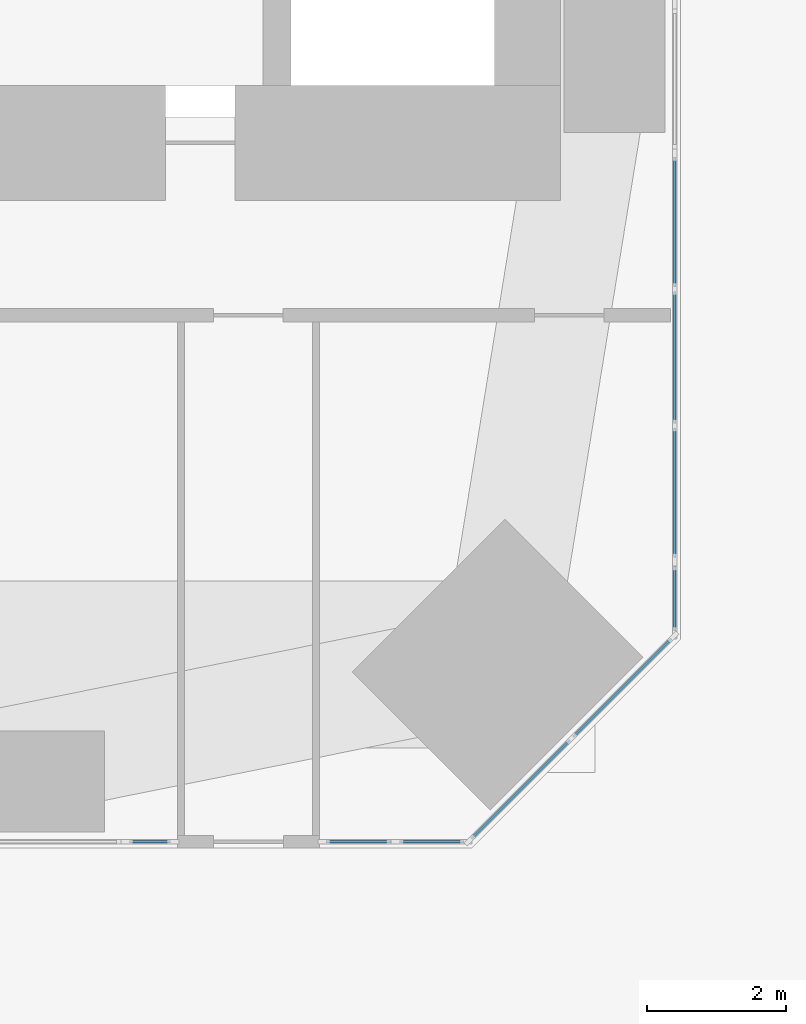
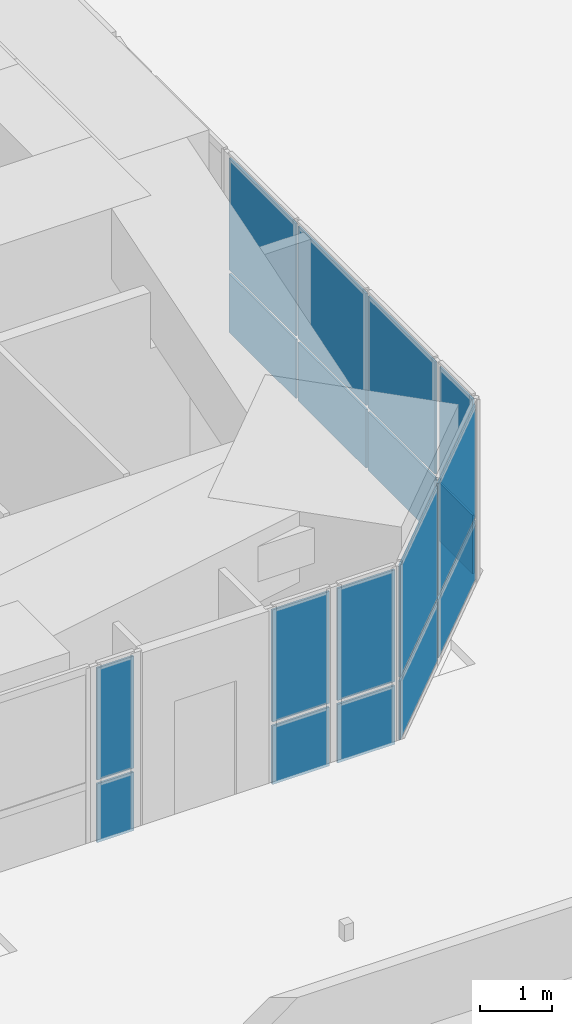
# One storey, part 10 of 20: 18 plates, 6 elements without a shape of their own.
"""IFC4 building model written with IfcOpenShell, lengths in metres."""

import ifcopenshell
import ifcopenshell.guid

model = None  # the IFC model being written
_history = None  # IfcOwnerHistory: only IFC2X3 demands one
_inside = {}  # id of a spatial element -> (the spatial element, [elements in it])
_under = {}  # id of a project, library or spatial element -> (it, [spatial elements below it])
_declared = {}  # id of a project -> (the project, [libraries it declares])
_typed = {}  # id of a type object -> (the type object, [elements of that type])
_made_of = {}  # id of a material, layer set ... -> (it, [elements and type objects made of it])


def new_model(schema):
    """Start an empty IFC model of exactly this schema.

    Asked for "IFC4X3", IfcOpenShell would pick the latest addendum, in which some entities
    have other attributes; the version numbers below select the first issue.
    IFC2X3 requires an IfcOwnerHistory on every rooted entity: one is made here for all.
    """
    global model, _history
    if schema == "IFC4X3":
        model = ifcopenshell.file(schema_version=(4, 3, 0, 0))
    else:
        model = ifcopenshell.file(schema=schema)
    _inside.clear()
    _under.clear()
    _declared.clear()
    _typed.clear()
    _made_of.clear()
    _history = None
    if model.schema == "IFC2X3":
        org = make("IfcOrganization", Name="unknown")
        user = make(
            "IfcPersonAndOrganization",
            ThePerson=make("IfcPerson", FamilyName="unknown"),
            TheOrganization=org,
        )
        app = make(
            "IfcApplication",
            ApplicationDeveloper=org,
            Version="unknown",
            ApplicationFullName="unknown",
            ApplicationIdentifier="unknown",
        )
        _history = make(
            "IfcOwnerHistory",
            OwningUser=user,
            OwningApplication=app,
            ChangeAction="ADDED",
            CreationDate=0,
        )
    return model


def make(cls, **values):
    """One entity of the class cls with the attributes given. An attribute that is None is left unset."""
    return model.create_entity(
        cls, **{name: value for name, value in values.items() if value is not None}
    )


def rooted(cls, **values):
    """An entity with a GlobalId (a new one), such as an element, a storey or a relation."""
    return make(cls, GlobalId=ifcopenshell.guid.new(), OwnerHistory=_history, **values)


def si_unit(unit_type, name, prefix=None):
    """IfcSIUnit, for example si_unit("LENGTHUNIT", "METRE", prefix="MILLI")."""
    return make("IfcSIUnit", UnitType=unit_type, Prefix=prefix, Name=name)


def assignment(units):
    """IfcUnitAssignment: the units of a project."""
    return None if units is None else make("IfcUnitAssignment", Units=units)


def point(xyz):
    """IfcCartesianPoint."""
    return None if xyz is None else make("IfcCartesianPoint", Coordinates=xyz)


def direction(xyz):
    """IfcDirection."""
    return None if xyz is None else make("IfcDirection", DirectionRatios=xyz)


def frame(location, z_axis=None, x_axis=None):
    """IfcAxis2Placement3D, a coordinate frame: its origin and axes. An axis left out is left unset."""
    return make(
        "IfcAxis2Placement3D",
        Location=point(location),
        Axis=direction(z_axis),
        RefDirection=direction(x_axis),
    )


def frame_2d(location, x_axis=None):
    """IfcAxis2Placement2D, a coordinate frame in the plane: its origin and x axis."""
    return make(
        "IfcAxis2Placement2D", Location=point(location), RefDirection=direction(x_axis)
    )


def origin():
    """The frame at (0, 0, 0) with its axes left unset."""
    return frame((0.0, 0.0, 0.0))


def origin_2d():
    """The frame at (0, 0) in the plane with its x axis left unset."""
    return frame_2d((0.0, 0.0))


def place(relative_to, where):
    """IfcLocalPlacement: puts the frame where relative to a parent placement (None: the world)."""
    return make(
        "IfcLocalPlacement", PlacementRelTo=relative_to, RelativePlacement=where
    )


def context(
    kind, dimensions, precision=None, world=None, true_north=None, identifier=None
):
    """IfcGeometricRepresentationContext, for example the 3D "Model" context."""
    return make(
        "IfcGeometricRepresentationContext",
        ContextIdentifier=identifier,
        ContextType=kind,
        CoordinateSpaceDimension=dimensions,
        Precision=precision,
        WorldCoordinateSystem=world,
        TrueNorth=true_north,
    )


def subcontext(parent, identifier, kind, view, scale=None):
    """IfcGeometricRepresentationSubContext, for example "Body" below "Model"."""
    return make(
        "IfcGeometricRepresentationSubContext",
        ContextIdentifier=identifier,
        ContextType=kind,
        ParentContext=parent,
        TargetScale=scale,
        TargetView=view,
    )


def project(units=None, contexts=None):
    """IfcProject with its units and contexts."""
    return rooted(
        "IfcProject",
        Name="project",
        RepresentationContexts=contexts,
        UnitsInContext=assignment(units),
    )


def spatial(cls, under=None, at=None, **own):
    """A site, building, storey or space (cls), placed at a placement, below another one or the project."""
    s = rooted(cls, ObjectPlacement=at, **own)
    if under is not None:
        _under.setdefault(under.id(), (under, []))[1].append(s)
    return s


def profile(cls, at=None, kind="AREA", **sizes):
    """A parametric profile (cls). Its sizes go by their IFC names, for example OverallWidth=200.0."""
    return make(cls, ProfileType=kind, Position=at, **sizes)


def rectangle(**sizes):
    """IfcRectangleProfileDef."""
    return profile("IfcRectangleProfileDef", **sizes)


def extrude(swept, where, along, depth):
    """IfcExtrudedAreaSolid: the profile swept, set in the frame where, extruded along a direction by depth."""
    return make(
        "IfcExtrudedAreaSolid",
        SweptArea=swept,
        Position=where,
        ExtrudedDirection=direction(along),
        Depth=depth,
    )


def shape(context_of_items, identifier, shape_type, items):
    """IfcShapeRepresentation: the items that make up one representation, for example the "Body"."""
    return make(
        "IfcShapeRepresentation",
        ContextOfItems=context_of_items,
        RepresentationIdentifier=identifier,
        RepresentationType=shape_type,
        Items=items,
    )


def material(Name=None, Category=None):
    """IfcMaterial."""
    return make("IfcMaterial", Name=Name, Category=Category)


def layer(
    of_material, thickness, ventilated=None, Name=None, Category=None, Priority=None
):
    """IfcMaterialLayer: one layer of a wall or slab, of a material (None: an air gap)."""
    return make(
        "IfcMaterialLayer",
        Material=of_material,
        LayerThickness=thickness,
        IsVentilated=ventilated,
        Name=Name,
        Category=Category,
        Priority=Priority,
    )


def layer_set(layers, Name=None):
    """IfcMaterialLayerSet."""
    return make("IfcMaterialLayerSet", MaterialLayers=layers, LayerSetName=Name)


def made_of(thing, what):
    """Note that an element or type object is made of a material, layer set ...; save() writes the relation."""
    if what is not None:
        _made_of.setdefault(what.id(), (what, []))[1].append(thing)
    return thing


def type_object(cls, material=None, **own):
    """A type object (cls), such as IfcWallType, which elements share."""
    return made_of(rooted(cls, **own), material)


def element(
    cls,
    number,
    at=None,
    inside=None,
    cuts=None,
    type_object=None,
    material=None,
    context=None,
    identifier="Body",
    shape_type=None,
    held_by="IfcProductDefinitionShape",
    body=None,
    shapes=None,
    **own,
):
    """One element of the class cls, such as IfcWall. Its Tag is "e" and its number.

    at: its placement. inside: the storey or other place that contains it. cuts: it is an
    opening in that element (IfcRelVoidsElement). A single representation is given by context,
    identifier, shape_type and body (its items); several are given by shapes. held_by: the class
    of the entity that holds the representations. save() writes the other relations.
    """
    e = rooted(cls, Tag="e%d" % number, ObjectPlacement=at, **own)
    if body is not None:
        shapes = [shape(context, identifier, shape_type, body)]
    if shapes is not None:
        e.Representation = make(held_by, Representations=shapes)
    if inside is not None:
        _inside.setdefault(inside.id(), (inside, []))[1].append(e)
    if cuts is not None:
        rooted(
            "IfcRelVoidsElement", RelatingBuildingElement=cuts, RelatedOpeningElement=e
        )
    if type_object is not None:
        _typed.setdefault(type_object.id(), (type_object, []))[1].append(e)
    return made_of(e, material)


def aggregate(whole, parts):
    """IfcRelAggregates: a whole, such as a stair, and the parts it consists of."""
    return rooted("IfcRelAggregates", RelatingObject=whole, RelatedObjects=parts)


def save(model, path):
    """Write the relations noted so far, then the file.

    IfcRelAggregates (storeys below a building ...), IfcRelContainedInSpatialStructure (elements
    in a storey), IfcRelDefinesByType, IfcRelAssociatesMaterial and IfcRelDeclares: one each for
    every whole, place, type object, material and project.
    """
    for whole, parts in _under.values():
        aggregate(whole, parts)
    for where, things in _inside.values():
        rooted(
            "IfcRelContainedInSpatialStructure",
            RelatedElements=things,
            RelatingStructure=where,
        )
    for kind, things in _typed.values():
        rooted("IfcRelDefinesByType", RelatedObjects=things, RelatingType=kind)
    for what, things in _made_of.values():
        rooted("IfcRelAssociatesMaterial", RelatedObjects=things, RelatingMaterial=what)
    for by, libraries in _declared.values():
        rooted("IfcRelDeclares", RelatingContext=by, RelatedDefinitions=libraries)
    model.write(path)


model = new_model("IFC4")

# Units and contexts
model_context = context("Model", 3, precision=1e-05, world=origin(), true_north=direction((0.0, 1.0)))
body_context = subcontext(model_context, "Body", "Model", "MODEL_VIEW")
ifc_project = project(units=[si_unit("LENGTHUNIT", "METRE"), si_unit("AREAUNIT", "SQUARE_METRE"), si_unit("VOLUMEUNIT", "CUBIC_METRE"), si_unit("PLANEANGLEUNIT", "RADIAN"), si_unit("MASSUNIT", "GRAM", prefix="KILO")], contexts=[model_context])

# Site, building, storey
site_placement = place(None, origin())
site = spatial("IfcSite", under=ifc_project, at=site_placement, CompositionType="ELEMENT")
building_placement = place(site_placement, origin())
building = spatial("IfcBuilding", under=site, at=building_placement, Name="Jalousie Tower", CompositionType="ELEMENT")
storey_placement = place(building_placement, frame((0.0, 0.0, 21.0)))
storey = spatial("IfcBuildingStorey", under=building, at=storey_placement, Name="L04", CompositionType="ELEMENT", Elevation=21.0)

# Curtain wall, plates
ifc_material_1 = material(Name="Aluminium curtain wall", Category="aluminium")
curtain_wall_type_1 = type_object("IfcCurtainWallType", Name="AMENITY SPANDREL WALL", PredefinedType="USERDEFINED", material=ifc_material_1)
curtain_wall_1_placement = place(storey_placement, origin())
curtain_wall_1 = element("IfcCurtainWall", 1, at=curtain_wall_1_placement, inside=storey, type_object=curtain_wall_type_1, Name="Amenity Spandrel Wall L04 15", ObjectType="AMENITY SPANDREL WALL", PredefinedType="USERDEFINED")
ifc_material_2 = material(Name="Laminated impact-rated spandrel glass", Category="glass")
ifc_layer_1 = layer(ifc_material_2, 0.031982421875)
ifc_layer_set_1 = layer_set([ifc_layer_1], Name="Laminated impact-rated spandrel glass")
plate_type_1 = type_object("IfcPlateType", Name="AMENITY SPANDREL WALL PANEL", PredefinedType="CURTAIN_PANEL", material=ifc_layer_set_1)
plate_1_placement = place(storey_placement, frame((42.421875, 0.08740234375, 0.06494140625), z_axis=(0.0, 0.0, 1.0), x_axis=(1.0, 0.0, 0.0)))
plate_1 = element("IfcPlate", 2, at=plate_1_placement, type_object=plate_type_1, Name="CW-AS panel 1.1", PredefinedType="CURTAIN_PANEL", context=body_context, shape_type="SweptSolid", body=[
    extrude(rectangle(XDim=0.923583984375, YDim=0.031982421875, at=origin_2d()), origin(), (0.0, 0.0, 1.0), 1.00244140625),
])
plate_2_placement = place(storey_placement, frame((42.421875, 0.08740234375, 1.132568359375), z_axis=(0.0, 0.0, 1.0), x_axis=(1.0, 0.0, 0.0)))
plate_2 = element("IfcPlate", 3, at=plate_2_placement, type_object=plate_type_1, Name="CW-AS panel 1.2", PredefinedType="CURTAIN_PANEL", context=body_context, shape_type="SweptSolid", body=[
    extrude(rectangle(XDim=0.923583984375, YDim=0.031982421875, at=origin_2d()), origin(), (0.0, 0.0, 1.0), 1.91259765625),
])
aggregate(curtain_wall_1, [plate_1, plate_2])

curtain_wall_2_placement = place(storey_placement, origin())
curtain_wall_2 = element("IfcCurtainWall", 4, at=curtain_wall_2_placement, inside=storey, type_object=curtain_wall_type_1, Name="Amenity Spandrel Wall L04 2", ObjectType="AMENITY SPANDREL WALL", PredefinedType="USERDEFINED")
plate_3_placement = place(storey_placement, frame((43.701171875, 0.83984375, 0.06494140625), z_axis=(0.0, 0.0, 1.0), x_axis=(0.707106781187, 0.707106781187, 0.0)))
plate_3 = element("IfcPlate", 5, at=plate_3_placement, type_object=plate_type_1, Name="CW-AS panel 1.1", PredefinedType="CURTAIN_PANEL", context=body_context, shape_type="SweptSolid", body=[
    extrude(rectangle(XDim=1.998291015625, YDim=0.031982421875, at=origin_2d()), origin(), (0.0, 0.0, 1.0), 1.00244140625),
])
plate_4_placement = place(storey_placement, frame((43.701171875, 0.83984375, 1.132568359375), z_axis=(0.0, 0.0, 1.0), x_axis=(0.707106781187, 0.707106781187, 0.0)))
plate_4 = element("IfcPlate", 6, at=plate_4_placement, type_object=plate_type_1, Name="CW-AS panel 1.2", PredefinedType="CURTAIN_PANEL", context=body_context, shape_type="SweptSolid", body=[
    extrude(rectangle(XDim=1.998291015625, YDim=0.031982421875, at=origin_2d()), origin(), (0.0, 0.0, 1.0), 1.91259765625),
])
plate_5_placement = place(storey_placement, frame((45.16015625, 2.298828125, 0.06494140625), z_axis=(0.0, 0.0, 1.0), x_axis=(0.707106781187, 0.707106781187, 0.0)))
plate_5 = element("IfcPlate", 7, at=plate_5_placement, type_object=plate_type_1, Name="CW-AS panel 2.1", PredefinedType="CURTAIN_PANEL", context=body_context, shape_type="SweptSolid", body=[
    extrude(rectangle(XDim=1.998291015625, YDim=0.031982421875, at=origin_2d()), origin(), (0.0, 0.0, 1.0), 1.00244140625),
])
plate_6_placement = place(storey_placement, frame((45.16015625, 2.298828125, 1.132568359375), z_axis=(0.0, 0.0, 1.0), x_axis=(0.707106781187, 0.707106781187, 0.0)))
plate_6 = element("IfcPlate", 8, at=plate_6_placement, type_object=plate_type_1, Name="CW-AS panel 2.2", PredefinedType="CURTAIN_PANEL", context=body_context, shape_type="SweptSolid", body=[
    extrude(rectangle(XDim=1.998291015625, YDim=0.031982421875, at=origin_2d()), origin(), (0.0, 0.0, 1.0), 1.91259765625),
])
aggregate(curtain_wall_2, [plate_3, plate_4, plate_5, plate_6])

curtain_wall_3_placement = place(storey_placement, origin())
curtain_wall_3 = element("IfcCurtainWall", 9, at=curtain_wall_3_placement, inside=storey, type_object=curtain_wall_type_1, Name="Amenity Spandrel Wall L04 21", ObjectType="AMENITY SPANDREL WALL", PredefinedType="USERDEFINED")
plate_7_placement = place(storey_placement, frame((45.91259765625, 3.578125, 0.06494140625), z_axis=(0.0, 0.0, 1.0), x_axis=(0.0, 1.0, 0.0)))
plate_7 = element("IfcPlate", 10, at=plate_7_placement, type_object=plate_type_1, Name="CW-AS panel 1.1", PredefinedType="CURTAIN_PANEL", context=body_context, shape_type="SweptSolid", body=[
    extrude(rectangle(XDim=0.923583984375, YDim=0.031982421875, at=origin_2d()), origin(), (0.0, 0.0, 1.0), 1.00244140625),
])
plate_8_placement = place(storey_placement, frame((45.91259765625, 3.578125, 1.132568359375), z_axis=(0.0, 0.0, 1.0), x_axis=(0.0, 1.0, 0.0)))
plate_8 = element("IfcPlate", 11, at=plate_8_placement, type_object=plate_type_1, Name="CW-AS panel 1.2", PredefinedType="CURTAIN_PANEL", context=body_context, shape_type="SweptSolid", body=[
    extrude(rectangle(XDim=0.923583984375, YDim=0.031982421875, at=origin_2d()), origin(), (0.0, 0.0, 1.0), 1.91259765625),
])
aggregate(curtain_wall_3, [plate_7, plate_8])

curtain_wall_4_placement = place(storey_placement, origin())
curtain_wall_4 = element("IfcCurtainWall", 12, at=curtain_wall_4_placement, inside=storey, type_object=curtain_wall_type_1, Name="Amenity Spandrel Wall L04 14", ObjectType="AMENITY SPANDREL WALL", PredefinedType="USERDEFINED")
plate_9_placement = place(storey_placement, frame((38.376220703125, 0.08740234375, 0.06494140625), z_axis=(0.0, 0.0, 1.0), x_axis=(1.0, 0.0, 0.0)))
plate_9 = element("IfcPlate", 13, at=plate_9_placement, type_object=plate_type_1, Name="CW-AS panel 1.1", PredefinedType="CURTAIN_PANEL", context=body_context, shape_type="SweptSolid", body=[
    extrude(rectangle(XDim=0.593505859375, YDim=0.031982421875, at=origin_2d()), origin(), (0.0, 0.0, 1.0), 1.00244140625),
])
plate_10_placement = place(storey_placement, frame((38.376220703125, 0.08740234375, 1.132568359375), z_axis=(0.0, 0.0, 1.0), x_axis=(1.0, 0.0, 0.0)))
plate_10 = element("IfcPlate", 14, at=plate_10_placement, type_object=plate_type_1, Name="CW-AS panel 1.2", PredefinedType="CURTAIN_PANEL", context=body_context, shape_type="SweptSolid", body=[
    extrude(rectangle(XDim=0.593505859375, YDim=0.031982421875, at=origin_2d()), origin(), (0.0, 0.0, 1.0), 1.91259765625),
])
aggregate(curtain_wall_4, [plate_9, plate_10])

curtain_wall_5_placement = place(storey_placement, origin())
curtain_wall_5 = element("IfcCurtainWall", 15, at=curtain_wall_5_placement, inside=storey, type_object=curtain_wall_type_1, Name="Amenity Spandrel Wall L04 14 east", ObjectType="AMENITY SPANDREL WALL", PredefinedType="USERDEFINED")
plate_11_placement = place(storey_placement, frame((41.369140625, 0.08740234375, 0.06494140625), z_axis=(0.0, 0.0, 1.0), x_axis=(1.0, 0.0, 0.0)))
plate_11 = element("IfcPlate", 16, at=plate_11_placement, type_object=plate_type_1, Name="CW-AS panel 1.1", PredefinedType="CURTAIN_PANEL", context=body_context, shape_type="SweptSolid", body=[
    extrude(rectangle(XDim=0.921875, YDim=0.031982421875, at=origin_2d()), origin(), (0.0, 0.0, 1.0), 1.00244140625),
])
plate_12_placement = place(storey_placement, frame((41.369140625, 0.08740234375, 1.132568359375), z_axis=(0.0, 0.0, 1.0), x_axis=(1.0, 0.0, 0.0)))
plate_12 = element("IfcPlate", 17, at=plate_12_placement, type_object=plate_type_1, Name="CW-AS panel 1.2", PredefinedType="CURTAIN_PANEL", context=body_context, shape_type="SweptSolid", body=[
    extrude(rectangle(XDim=0.921875, YDim=0.031982421875, at=origin_2d()), origin(), (0.0, 0.0, 1.0), 1.91259765625),
])
aggregate(curtain_wall_5, [plate_11, plate_12])

ifc_material_3 = material(Name="Aluminium curtain wall", Category="aluminium")
curtain_wall_type_2 = type_object("IfcCurtainWallType", Name="AMENITY WINDOW WALL", PredefinedType="USERDEFINED", material=ifc_material_3)
curtain_wall_6_placement = place(storey_placement, origin())
curtain_wall_6 = element("IfcCurtainWall", 18, at=curtain_wall_6_placement, inside=storey, type_object=curtain_wall_type_2, Name="Amenity Window Wall L04 22", ObjectType="AMENITY WINDOW WALL", PredefinedType="USERDEFINED")
ifc_material_4 = material(Name="Laminated impact-rated glass", Category="glass")
ifc_layer_2 = layer(ifc_material_4, 0.031982421875)
ifc_layer_set_2 = layer_set([ifc_layer_2], Name="Laminated impact-rated glass")
plate_type_2 = type_object("IfcPlateType", Name="AMENITY WINDOW WALL PANEL", PredefinedType="CURTAIN_PANEL", material=ifc_layer_set_2)
plate_13_placement = place(storey_placement, frame((45.91259765625, 5.10107421875, 0.06494140625), z_axis=(0.0, 0.0, 1.0), x_axis=(0.0, 1.0, 0.0)))
plate_13 = element("IfcPlate", 19, at=plate_13_placement, type_object=plate_type_2, Name="CW-A panel 1.1", PredefinedType="CURTAIN_PANEL", context=body_context, shape_type="SweptSolid", body=[
    extrude(rectangle(XDim=1.86279296875, YDim=0.031982421875, at=origin_2d()), origin(), (0.0, 0.0, 1.0), 1.00244140625),
])
plate_14_placement = place(storey_placement, frame((45.91259765625, 5.10107421875, 1.132568359375), z_axis=(0.0, 0.0, 1.0), x_axis=(0.0, 1.0, 0.0)))
plate_14 = element("IfcPlate", 20, at=plate_14_placement, type_object=plate_type_2, Name="CW-A panel 1.2", PredefinedType="CURTAIN_PANEL", context=body_context, shape_type="SweptSolid", body=[
    extrude(rectangle(XDim=1.86279296875, YDim=0.031982421875, at=origin_2d()), origin(), (0.0, 0.0, 1.0), 1.91259765625),
])
plate_15_placement = place(storey_placement, frame((45.91259765625, 7.045166015625, 0.06494140625), z_axis=(0.0, 0.0, 1.0), x_axis=(0.0, 1.0, 0.0)))
plate_15 = element("IfcPlate", 21, at=plate_15_placement, type_object=plate_type_2, Name="CW-A panel 2.1", PredefinedType="CURTAIN_PANEL", context=body_context, shape_type="SweptSolid", body=[
    extrude(rectangle(XDim=1.895263671875, YDim=0.031982421875, at=origin_2d()), origin(), (0.0, 0.0, 1.0), 1.00244140625),
])
plate_16_placement = place(storey_placement, frame((45.91259765625, 7.045166015625, 1.132568359375), z_axis=(0.0, 0.0, 1.0), x_axis=(0.0, 1.0, 0.0)))
plate_16 = element("IfcPlate", 22, at=plate_16_placement, type_object=plate_type_2, Name="CW-A panel 2.2", PredefinedType="CURTAIN_PANEL", context=body_context, shape_type="SweptSolid", body=[
    extrude(rectangle(XDim=1.895263671875, YDim=0.031982421875, at=origin_2d()), origin(), (0.0, 0.0, 1.0), 1.91259765625),
])
plate_17_placement = place(storey_placement, frame((45.91259765625, 8.989013671875, 0.06494140625), z_axis=(0.0, 0.0, 1.0), x_axis=(0.0, 1.0, 0.0)))
plate_17 = element("IfcPlate", 23, at=plate_17_placement, type_object=plate_type_2, Name="CW-A panel 3.1", PredefinedType="CURTAIN_PANEL", context=body_context, shape_type="SweptSolid", body=[
    extrude(rectangle(XDim=1.86279296875, YDim=0.031982421875, at=origin_2d()), origin(), (0.0, 0.0, 1.0), 1.00244140625),
])
plate_18_placement = place(storey_placement, frame((45.91259765625, 8.989013671875, 1.132568359375), z_axis=(0.0, 0.0, 1.0), x_axis=(0.0, 1.0, 0.0)))
plate_18 = element("IfcPlate", 24, at=plate_18_placement, type_object=plate_type_2, Name="CW-A panel 3.2", PredefinedType="CURTAIN_PANEL", context=body_context, shape_type="SweptSolid", body=[
    extrude(rectangle(XDim=1.86279296875, YDim=0.031982421875, at=origin_2d()), origin(), (0.0, 0.0, 1.0), 1.91259765625),
])
aggregate(curtain_wall_6, [plate_13, plate_14, plate_15, plate_16, plate_17, plate_18])

save(model, "model.ifc")
